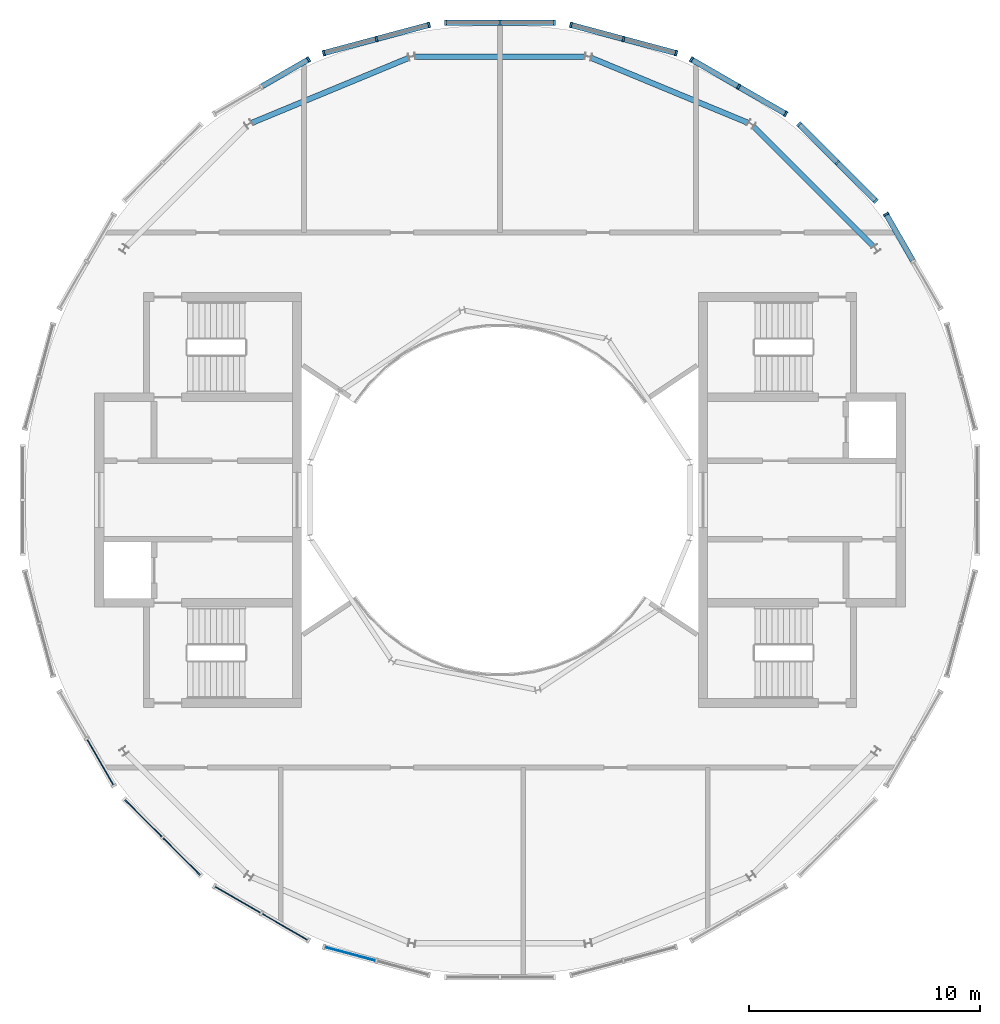
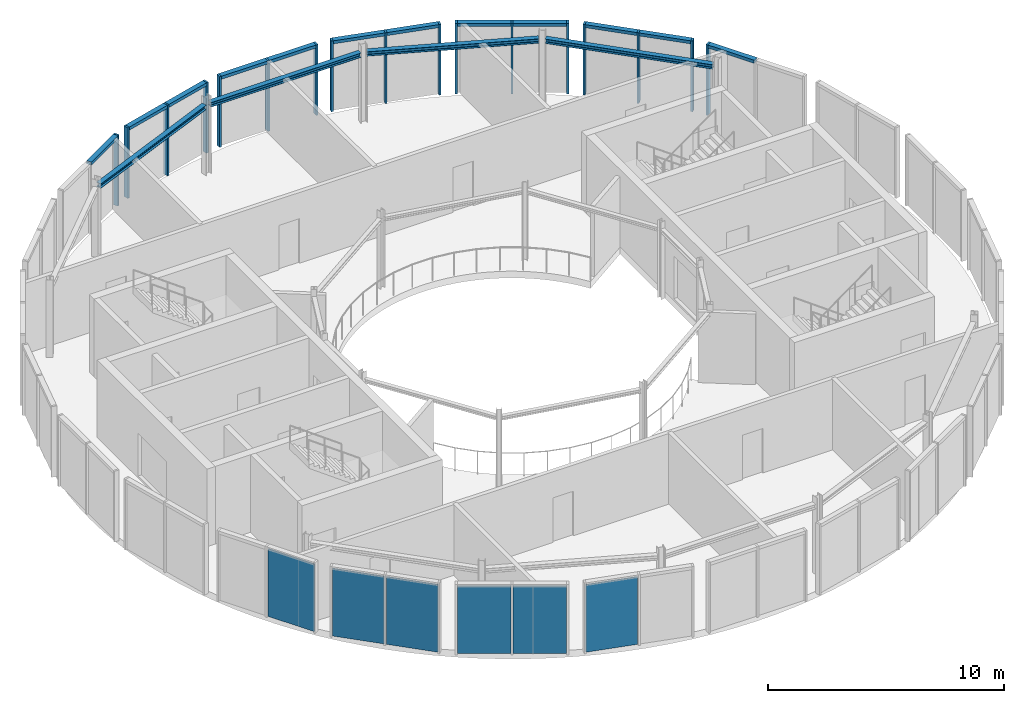
# One storey, part 6 of 12: 29 members, 6 plates, 4 beams, 11 elements without a shape of their own.
"""IFC4 building model written with IfcOpenShell, lengths in metres."""

from ifc_helpers import new_model, si_unit, direction, frame, origin, origin_2d, place, context, subcontext, project, spatial, rectangle, i_section, extrude, material, layer, layer_set, material_profile, profile_set, type_object, element, aggregate, save


model = new_model("IFC4")

# Units and contexts
model_context = context("Model", 3, precision=1e-05, world=origin(), true_north=direction((0.0, 1.0)))
body_context = subcontext(model_context, "Body", "Model", "MODEL_VIEW")
ifc_project = project(units=[si_unit("LENGTHUNIT", "METRE"), si_unit("AREAUNIT", "SQUARE_METRE"), si_unit("VOLUMEUNIT", "CUBIC_METRE"), si_unit("PLANEANGLEUNIT", "RADIAN"), si_unit("MASSUNIT", "GRAM", prefix="KILO")], contexts=[model_context])

# Site, building, storey
site_placement = place(None, origin())
site = spatial("IfcSite", under=ifc_project, at=site_placement, CompositionType="ELEMENT")
building_placement = place(site_placement, origin())
building = spatial("IfcBuilding", under=site, at=building_placement, Name="Maasbend Ring Residences", CompositionType="ELEMENT")
storey_placement = place(building_placement, frame((0.0, 0.0, 261.5)))
storey = spatial("IfcBuildingStorey", under=building, at=storey_placement, Name="L75", CompositionType="ELEMENT", Elevation=261.5)

# Curtain wall, member
ifc_material_1 = material(Name="Aluminium and clear glass", Category="aluminium")
ifc_layer_1 = layer(ifc_material_1, 0.239990234375)
ifc_layer_set_1 = layer_set([ifc_layer_1], Name="CW-CN")
curtain_wall_type = type_object("IfcCurtainWallType", Name="CW-CN", PredefinedType="NOTDEFINED", material=ifc_layer_set_1)
curtain_wall_1_placement = place(storey_placement, origin())
curtain_wall_1 = element("IfcCurtainWall", 1, at=curtain_wall_1_placement, inside=storey, type_object=curtain_wall_type, Name="Crown drum glazing 02 L75", PredefinedType="NOTDEFINED")
ifc_material_2 = material(Name="Aluminium 6063-T6", Category="aluminium")
ifc_material_profile_1 = material_profile(ifc_material_2, rectangle(XDim=0.239990234375, YDim=0.090087890625, at=origin_2d()), Name="AL 240x90")
ifc_profile_set_1 = profile_set([ifc_material_profile_1], Name="Aluminium 6063-T6")
member_type_1 = type_object("IfcMemberType", Name="CWM-CN", PredefinedType="MULLION", material=ifc_profile_set_1)
member_1_placement = place(storey_placement, frame((16.73974609375, 12.388671875, 0.0), z_axis=(0.0, 0.0, 1.0), x_axis=(-0.866025403784, -0.5, 0.0)))
member_1 = element("IfcMember", 2, at=member_1_placement, type_object=member_type_1, Name="Mullion crown cone", PredefinedType="MULLION", context=body_context, shape_type="SweptSolid", body=[
    extrude(rectangle(XDim=0.239990234375, YDim=0.090087890625, at=origin_2d()), origin(), (0.0, 0.0, 1.0), 3.64990234375),
])

# Curtain wall, members
curtain_wall_2_placement = place(storey_placement, origin())
curtain_wall_2 = element("IfcCurtainWall", 3, at=curtain_wall_2_placement, inside=storey, type_object=curtain_wall_type, Name="Crown drum glazing 03 L75", PredefinedType="NOTDEFINED")
member_2_placement = place(storey_placement, frame((16.299072265625, 12.962890625, 0.0), z_axis=(0.0, 0.0, 1.0), x_axis=(-0.707106781187, -0.707106781187, 0.0)))
member_2 = element("IfcMember", 4, at=member_2_placement, type_object=member_type_1, Name="Mullion crown cone", PredefinedType="MULLION", context=body_context, shape_type="SweptSolid", body=[
    extrude(rectangle(XDim=0.239990234375, YDim=0.090087890625, at=origin_2d()), origin(), (0.0, 0.0, 1.0), 3.64990234375),
])
member_3_placement = place(storey_placement, frame((14.631103515625, 14.631103515625, 0.0), z_axis=(0.0, 0.0, 1.0), x_axis=(-0.707106781187, -0.707106781187, 0.0)))
member_3 = element("IfcMember", 5, at=member_3_placement, type_object=member_type_1, Name="Mullion crown cone", PredefinedType="MULLION", context=body_context, shape_type="SweptSolid", body=[
    extrude(rectangle(XDim=0.239990234375, YDim=0.090087890625, at=origin_2d()), origin(), (0.0, 0.0, 1.0), 3.64990234375),
])
member_4_placement = place(storey_placement, frame((12.962890625, 16.299072265625, 0.0), z_axis=(0.0, 0.0, 1.0), x_axis=(-0.707106781187, -0.707106781187, 0.0)))
member_4 = element("IfcMember", 6, at=member_4_placement, type_object=member_type_1, Name="Mullion crown cone", PredefinedType="MULLION", context=body_context, shape_type="SweptSolid", body=[
    extrude(rectangle(XDim=0.239990234375, YDim=0.090087890625, at=origin_2d()), origin(), (0.0, 0.0, 1.0), 3.64990234375),
])

curtain_wall_3_placement = place(storey_placement, origin())
curtain_wall_3 = element("IfcCurtainWall", 7, at=curtain_wall_3_placement, inside=storey, type_object=curtain_wall_type, Name="Crown drum glazing 04 L75", PredefinedType="NOTDEFINED")
member_5_placement = place(storey_placement, frame((12.388671875, 16.73974609375, 0.0), z_axis=(0.0, 0.0, 1.0), x_axis=(-0.5, -0.866025403784, 0.0)))
member_5 = element("IfcMember", 8, at=member_5_placement, type_object=member_type_1, Name="Mullion crown cone", PredefinedType="MULLION", context=body_context, shape_type="SweptSolid", body=[
    extrude(rectangle(XDim=0.239990234375, YDim=0.090087890625, at=origin_2d()), origin(), (0.0, 0.0, 1.0), 3.64990234375),
])
member_6_placement = place(storey_placement, frame((10.345703125, 17.91943359375, 0.0), z_axis=(0.0, 0.0, 1.0), x_axis=(-0.5, -0.866025403784, 0.0)))
member_6 = element("IfcMember", 9, at=member_6_placement, type_object=member_type_1, Name="Mullion crown cone", PredefinedType="MULLION", context=body_context, shape_type="SweptSolid", body=[
    extrude(rectangle(XDim=0.239990234375, YDim=0.090087890625, at=origin_2d()), origin(), (0.0, 0.0, 1.0), 3.64990234375),
])
member_7_placement = place(storey_placement, frame((8.302734375, 19.098876953125, 0.0), z_axis=(0.0, 0.0, 1.0), x_axis=(-0.5, -0.866025403784, 0.0)))
member_7 = element("IfcMember", 10, at=member_7_placement, type_object=member_type_1, Name="Mullion crown cone", PredefinedType="MULLION", context=body_context, shape_type="SweptSolid", body=[
    extrude(rectangle(XDim=0.239990234375, YDim=0.090087890625, at=origin_2d()), origin(), (0.0, 0.0, 1.0), 3.64990234375),
])

curtain_wall_4_placement = place(storey_placement, origin())
curtain_wall_4 = element("IfcCurtainWall", 11, at=curtain_wall_4_placement, inside=storey, type_object=curtain_wall_type, Name="Crown drum glazing 05 L75", PredefinedType="NOTDEFINED")
member_8_placement = place(storey_placement, frame((7.634033203125, 19.375732421875, 0.0), z_axis=(0.0, 0.0, 1.0), x_axis=(-0.258819045103, -0.965925826289, 0.0)))
member_8 = element("IfcMember", 12, at=member_8_placement, type_object=member_type_1, Name="Mullion crown cone", PredefinedType="MULLION", context=body_context, shape_type="SweptSolid", body=[
    extrude(rectangle(XDim=0.239990234375, YDim=0.090087890625, at=origin_2d()), origin(), (0.0, 0.0, 1.0), 3.64990234375),
])
member_9_placement = place(storey_placement, frame((5.355224609375, 19.986328125, 0.0), z_axis=(0.0, 0.0, 1.0), x_axis=(-0.258819045103, -0.965925826289, 0.0)))
member_9 = element("IfcMember", 13, at=member_9_placement, type_object=member_type_1, Name="Mullion crown cone", PredefinedType="MULLION", context=body_context, shape_type="SweptSolid", body=[
    extrude(rectangle(XDim=0.239990234375, YDim=0.090087890625, at=origin_2d()), origin(), (0.0, 0.0, 1.0), 3.64990234375),
])
member_10_placement = place(storey_placement, frame((3.07666015625, 20.596923828125, 0.0), z_axis=(0.0, 0.0, 1.0), x_axis=(-0.258819045103, -0.965925826289, 0.0)))
member_10 = element("IfcMember", 14, at=member_10_placement, type_object=member_type_1, Name="Mullion crown cone", PredefinedType="MULLION", context=body_context, shape_type="SweptSolid", body=[
    extrude(rectangle(XDim=0.239990234375, YDim=0.090087890625, at=origin_2d()), origin(), (0.0, 0.0, 1.0), 3.64990234375),
])

curtain_wall_5_placement = place(storey_placement, origin())
curtain_wall_5 = element("IfcCurtainWall", 15, at=curtain_wall_5_placement, inside=storey, type_object=curtain_wall_type, Name="Crown drum glazing 06 L75", PredefinedType="NOTDEFINED")
member_11_placement = place(storey_placement, frame((2.359130859375, 20.69140625, 0.0), z_axis=(0.0, 0.0, 1.0), x_axis=(0.0, -1.0, 0.0)))
member_11 = element("IfcMember", 16, at=member_11_placement, type_object=member_type_1, Name="Mullion crown cone", PredefinedType="MULLION", context=body_context, shape_type="SweptSolid", body=[
    extrude(rectangle(XDim=0.239990234375, YDim=0.090087890625, at=origin_2d()), origin(), (0.0, 0.0, 1.0), 3.64990234375),
])
member_12_placement = place(storey_placement, frame((0.0, 20.69140625, 0.0), z_axis=(0.0, 0.0, 1.0), x_axis=(0.0, -1.0, 0.0)))
member_12 = element("IfcMember", 17, at=member_12_placement, type_object=member_type_1, Name="Mullion crown cone", PredefinedType="MULLION", context=body_context, shape_type="SweptSolid", body=[
    extrude(rectangle(XDim=0.239990234375, YDim=0.090087890625, at=origin_2d()), origin(), (0.0, 0.0, 1.0), 3.64990234375),
])
member_13_placement = place(storey_placement, frame((-2.359130859375, 20.69140625, 0.0), z_axis=(0.0, 0.0, 1.0), x_axis=(0.0, -1.0, 0.0)))
member_13 = element("IfcMember", 18, at=member_13_placement, type_object=member_type_1, Name="Mullion crown cone", PredefinedType="MULLION", context=body_context, shape_type="SweptSolid", body=[
    extrude(rectangle(XDim=0.239990234375, YDim=0.090087890625, at=origin_2d()), origin(), (0.0, 0.0, 1.0), 3.64990234375),
])

curtain_wall_6_placement = place(storey_placement, origin())
curtain_wall_6 = element("IfcCurtainWall", 19, at=curtain_wall_6_placement, inside=storey, type_object=curtain_wall_type, Name="Crown drum glazing 07 L75", PredefinedType="NOTDEFINED")
member_14_placement = place(storey_placement, frame((-3.07666015625, 20.596923828125, 0.0), z_axis=(0.0, 0.0, 1.0), x_axis=(0.258819045103, -0.965925826289, 0.0)))
member_14 = element("IfcMember", 20, at=member_14_placement, type_object=member_type_1, Name="Mullion crown cone", PredefinedType="MULLION", context=body_context, shape_type="SweptSolid", body=[
    extrude(rectangle(XDim=0.239990234375, YDim=0.090087890625, at=origin_2d()), origin(), (0.0, 0.0, 1.0), 3.64990234375),
])
member_15_placement = place(storey_placement, frame((-5.355224609375, 19.986328125, 0.0), z_axis=(0.0, 0.0, 1.0), x_axis=(0.258819045103, -0.965925826289, 0.0)))
member_15 = element("IfcMember", 21, at=member_15_placement, type_object=member_type_1, Name="Mullion crown cone", PredefinedType="MULLION", context=body_context, shape_type="SweptSolid", body=[
    extrude(rectangle(XDim=0.239990234375, YDim=0.090087890625, at=origin_2d()), origin(), (0.0, 0.0, 1.0), 3.64990234375),
])
member_16_placement = place(storey_placement, frame((-7.634033203125, 19.375732421875, 0.0), z_axis=(0.0, 0.0, 1.0), x_axis=(0.258819045103, -0.965925826289, 0.0)))
member_16 = element("IfcMember", 22, at=member_16_placement, type_object=member_type_1, Name="Mullion crown cone", PredefinedType="MULLION", context=body_context, shape_type="SweptSolid", body=[
    extrude(rectangle(XDim=0.239990234375, YDim=0.090087890625, at=origin_2d()), origin(), (0.0, 0.0, 1.0), 3.64990234375),
])

# Curtain wall, member
curtain_wall_7_placement = place(storey_placement, origin())
curtain_wall_7 = element("IfcCurtainWall", 23, at=curtain_wall_7_placement, inside=storey, type_object=curtain_wall_type, Name="Crown drum glazing 08 L75", PredefinedType="NOTDEFINED")
member_17_placement = place(storey_placement, frame((-8.302734375, 19.098876953125, 0.0), z_axis=(0.0, 0.0, 1.0), x_axis=(0.5, -0.866025403784, 0.0)))
member_17 = element("IfcMember", 24, at=member_17_placement, type_object=member_type_1, Name="Mullion crown cone", PredefinedType="MULLION", context=body_context, shape_type="SweptSolid", body=[
    extrude(rectangle(XDim=0.239990234375, YDim=0.090087890625, at=origin_2d()), origin(), (0.0, 0.0, 1.0), 3.64990234375),
])

# Member
ifc_material_3 = material(Name="Aluminium 6063-T6", Category="aluminium")
ifc_material_profile_2 = material_profile(ifc_material_3, rectangle(XDim=0.239990234375, YDim=0.159912109375, at=origin_2d()), Name="AL 240x160")
ifc_profile_set_2 = profile_set([ifc_material_profile_2], Name="Aluminium 6063-T6")
member_type_2 = type_object("IfcMemberType", Name="CWT-CN", PredefinedType="USERDEFINED", material=ifc_profile_set_2)
member_18_placement = place(storey_placement, frame((17.896728515625, 10.384765625, 3.570068359375), z_axis=(-0.49999255039, 0.866029704776, 0.0), x_axis=(-0.866029704776, -0.49999255039, 0.0)))
member_18 = element("IfcMember", 25, at=member_18_placement, type_object=member_type_2, Name="Transom crown cone", ObjectType="TRANSOM", PredefinedType="USERDEFINED", context=body_context, shape_type="SweptSolid", body=[
    extrude(rectangle(XDim=0.239990234375, YDim=0.159912109375, at=origin_2d()), origin(), (0.0, 0.0, 1.0), 2.26904296875),
])

aggregate(curtain_wall_1, [member_1, member_18])

member_19_placement = place(storey_placement, frame((16.267333984375, 12.994873046875, 3.570068359375), z_axis=(-0.707106781187, 0.707106781187, 0.0), x_axis=(-0.707106781187, -0.707106781187, 0.0)))
member_19 = element("IfcMember", 26, at=member_19_placement, type_object=member_type_2, Name="Transom crown cone", ObjectType="TRANSOM", PredefinedType="USERDEFINED", context=body_context, shape_type="SweptSolid", body=[
    extrude(rectangle(XDim=0.239990234375, YDim=0.159912109375, at=origin_2d()), origin(), (0.0, 0.0, 1.0), 2.26904296875),
])

member_20_placement = place(storey_placement, frame((14.599365234375, 14.662841796875, 3.570068359375), z_axis=(-0.707106781187, 0.707106781187, 0.0), x_axis=(-0.707106781187, -0.707106781187, 0.0)))
member_20 = element("IfcMember", 27, at=member_20_placement, type_object=member_type_2, Name="Transom crown cone", ObjectType="TRANSOM", PredefinedType="USERDEFINED", context=body_context, shape_type="SweptSolid", body=[
    extrude(rectangle(XDim=0.239990234375, YDim=0.159912109375, at=origin_2d()), origin(), (0.0, 0.0, 1.0), 2.26904296875),
])

aggregate(curtain_wall_2, [member_2, member_3, member_4, member_19, member_20])

member_21_placement = place(storey_placement, frame((12.349853515625, 16.76220703125, 3.570068359375), z_axis=(-0.866029704776, 0.49999255039, 0.0), x_axis=(-0.49999255039, -0.866029704776, 0.0)))
member_21 = element("IfcMember", 28, at=member_21_placement, type_object=member_type_2, Name="Transom crown cone", ObjectType="TRANSOM", PredefinedType="USERDEFINED", context=body_context, shape_type="SweptSolid", body=[
    extrude(rectangle(XDim=0.239990234375, YDim=0.159912109375, at=origin_2d()), origin(), (0.0, 0.0, 1.0), 2.26904296875),
])

member_22_placement = place(storey_placement, frame((10.306640625, 17.94189453125, 3.570068359375), z_axis=(-0.866029704776, 0.49999255039, 0.0), x_axis=(-0.49999255039, -0.866029704776, 0.0)))
member_22 = element("IfcMember", 29, at=member_22_placement, type_object=member_type_2, Name="Transom crown cone", ObjectType="TRANSOM", PredefinedType="USERDEFINED", context=body_context, shape_type="SweptSolid", body=[
    extrude(rectangle(XDim=0.239990234375, YDim=0.159912109375, at=origin_2d()), origin(), (0.0, 0.0, 1.0), 2.26904296875),
])

aggregate(curtain_wall_3, [member_5, member_6, member_7, member_21, member_22])

member_23_placement = place(storey_placement, frame((7.590576171875, 19.387451171875, 3.570068359375), z_axis=(-0.965909143883, 0.258881296667, 0.0), x_axis=(-0.258881296667, -0.965909143883, 0.0)))
member_23 = element("IfcMember", 30, at=member_23_placement, type_object=member_type_2, Name="Transom crown cone", ObjectType="TRANSOM", PredefinedType="USERDEFINED", context=body_context, shape_type="SweptSolid", body=[
    extrude(rectangle(XDim=0.239990234375, YDim=0.159912109375, at=origin_2d()), origin(), (0.0, 0.0, 1.0), 2.26904296875),
])

member_24_placement = place(storey_placement, frame((5.311767578125, 19.998046875, 3.570068359375), z_axis=(-0.965909143883, 0.258881296667, 0.0), x_axis=(-0.258881296667, -0.965909143883, 0.0)))
member_24 = element("IfcMember", 31, at=member_24_placement, type_object=member_type_2, Name="Transom crown cone", ObjectType="TRANSOM", PredefinedType="USERDEFINED", context=body_context, shape_type="SweptSolid", body=[
    extrude(rectangle(XDim=0.239990234375, YDim=0.159912109375, at=origin_2d()), origin(), (0.0, 0.0, 1.0), 2.26904296875),
])

aggregate(curtain_wall_4, [member_8, member_9, member_10, member_23, member_24])

member_25_placement = place(storey_placement, frame((2.31396484375, 20.69140625, 3.570068359375), z_axis=(-1.0, 0.0, 0.0), x_axis=(0.0, -1.0, 0.0)))
member_25 = element("IfcMember", 32, at=member_25_placement, type_object=member_type_2, Name="Transom crown cone", ObjectType="TRANSOM", PredefinedType="USERDEFINED", context=body_context, shape_type="SweptSolid", body=[
    extrude(rectangle(XDim=0.239990234375, YDim=0.159912109375, at=origin_2d()), origin(), (0.0, 0.0, 1.0), 2.26904296875),
])

member_26_placement = place(storey_placement, frame((-0.044921875, 20.69140625, 3.570068359375), z_axis=(-1.0, 0.0, 0.0), x_axis=(0.0, -1.0, 0.0)))
member_26 = element("IfcMember", 33, at=member_26_placement, type_object=member_type_2, Name="Transom crown cone", ObjectType="TRANSOM", PredefinedType="USERDEFINED", context=body_context, shape_type="SweptSolid", body=[
    extrude(rectangle(XDim=0.239990234375, YDim=0.159912109375, at=origin_2d()), origin(), (0.0, 0.0, 1.0), 2.26904296875),
])

aggregate(curtain_wall_5, [member_11, member_12, member_13, member_25, member_26])

member_27_placement = place(storey_placement, frame((-3.1201171875, 20.58544921875, 3.570068359375), z_axis=(-0.965909143883, -0.258881296667, 0.0), x_axis=(0.258881296667, -0.965909143883, 0.0)))
member_27 = element("IfcMember", 34, at=member_27_placement, type_object=member_type_2, Name="Transom crown cone", ObjectType="TRANSOM", PredefinedType="USERDEFINED", context=body_context, shape_type="SweptSolid", body=[
    extrude(rectangle(XDim=0.239990234375, YDim=0.159912109375, at=origin_2d()), origin(), (0.0, 0.0, 1.0), 2.26904296875),
])

member_28_placement = place(storey_placement, frame((-5.39892578125, 19.974853515625, 3.570068359375), z_axis=(-0.965909143883, -0.258881296667, 0.0), x_axis=(0.258881296667, -0.965909143883, 0.0)))
member_28 = element("IfcMember", 35, at=member_28_placement, type_object=member_type_2, Name="Transom crown cone", ObjectType="TRANSOM", PredefinedType="USERDEFINED", context=body_context, shape_type="SweptSolid", body=[
    extrude(rectangle(XDim=0.239990234375, YDim=0.159912109375, at=origin_2d()), origin(), (0.0, 0.0, 1.0), 2.26904296875),
])

aggregate(curtain_wall_6, [member_14, member_15, member_16, member_27, member_28])

member_29_placement = place(storey_placement, frame((-8.341552734375, 19.076416015625, 3.570068359375), z_axis=(-0.866029704776, -0.49999255039, 0.0), x_axis=(0.49999255039, -0.866029704776, 0.0)))
member_29 = element("IfcMember", 36, at=member_29_placement, type_object=member_type_2, Name="Transom crown cone", ObjectType="TRANSOM", PredefinedType="USERDEFINED", context=body_context, shape_type="SweptSolid", body=[
    extrude(rectangle(XDim=0.239990234375, YDim=0.159912109375, at=origin_2d()), origin(), (0.0, 0.0, 1.0), 2.26904296875),
])

aggregate(curtain_wall_7, [member_17, member_29])

# Beams
ifc_material_4 = material(Name="Steel S355J2", Category="steel")
ifc_material_profile_3 = material_profile(ifc_material_4, i_section(OverallWidth=0.239990234375, OverallDepth=0.22998046875, WebThickness=0.007568359375, FlangeThickness=0.011962890625, FilletRadius=0.02099609375, at=origin_2d()), Name="HEA 240")
ifc_profile_set_3 = profile_set([ifc_material_profile_3], Name="Steel S355J2")
beam_type = type_object("IfcBeamType", Name="Corridor ring beam HEA 240", PredefinedType="BEAM", material=ifc_profile_set_3)
beam_1_placement = place(storey_placement, frame((16.188720703125, 10.997314453125, 3.534912109375), z_axis=(-0.707106781187, 0.707106781187, 0.0), x_axis=(-0.707106781187, -0.707106781187, 0.0)))
element("IfcBeam", 37, at=beam_1_placement, inside=storey, type_object=beam_type, Name="Corridor ring beam", PredefinedType="BEAM", context=body_context, shape_type="SweptSolid", body=[
    extrude(i_section(OverallWidth=0.239990234375, OverallDepth=0.22998046875, WebThickness=0.007568359375, FlangeThickness=0.011962890625, FilletRadius=0.02099609375, at=origin_2d()), origin(), (0.0, 0.0, 1.0), 7.341796875),
])
beam_2_placement = place(storey_placement, frame((10.747802734375, 16.355224609375, 3.534912109375), z_axis=(-0.923875784142, 0.382692481603, 0.0), x_axis=(-0.382692481603, -0.923875784142, 0.0)))
element("IfcBeam", 38, at=beam_2_placement, inside=storey, type_object=beam_type, Name="Corridor ring beam", PredefinedType="BEAM", context=body_context, shape_type="SweptSolid", body=[
    extrude(i_section(OverallWidth=0.239990234375, OverallDepth=0.22998046875, WebThickness=0.007568359375, FlangeThickness=0.011962890625, FilletRadius=0.02099609375, at=origin_2d()), origin(), (0.0, 0.0, 1.0), 7.341552734375),
])
beam_3_placement = place(storey_placement, frame((3.6708984375, 19.223388671875, 3.534912109375), z_axis=(-1.0, 0.0, 0.0), x_axis=(0.0, -1.0, 0.0)))
element("IfcBeam", 39, at=beam_3_placement, inside=storey, type_object=beam_type, Name="Corridor ring beam", PredefinedType="BEAM", context=body_context, shape_type="SweptSolid", body=[
    extrude(i_section(OverallWidth=0.239990234375, OverallDepth=0.22998046875, WebThickness=0.007568359375, FlangeThickness=0.011962890625, FilletRadius=0.02099609375, at=origin_2d()), origin(), (0.0, 0.0, 1.0), 7.341796875),
])
beam_4_placement = place(storey_placement, frame((-3.965087890625, 19.164794921875, 3.534912109375), z_axis=(-0.923875784142, -0.382692481603, 0.0), x_axis=(0.382692481603, -0.923875784142, 0.0)))
element("IfcBeam", 40, at=beam_4_placement, inside=storey, type_object=beam_type, Name="Corridor ring beam", PredefinedType="BEAM", context=body_context, shape_type="SweptSolid", body=[
    extrude(i_section(OverallWidth=0.239990234375, OverallDepth=0.22998046875, WebThickness=0.007568359375, FlangeThickness=0.011962890625, FilletRadius=0.02099609375, at=origin_2d()), origin(), (0.0, 0.0, 1.0), 7.341552734375),
])

# Curtain wall, plate
curtain_wall_8_placement = place(storey_placement, origin())
curtain_wall_8 = element("IfcCurtainWall", 41, at=curtain_wall_8_placement, inside=storey, type_object=curtain_wall_type, Name="Crown drum glazing 14 L75", PredefinedType="NOTDEFINED")
ifc_material_5 = material(Name="Glass clear laminated", Category="glass")
ifc_layer_2 = layer(ifc_material_5, 0.0400390625)
ifc_layer_set_2 = layer_set([ifc_layer_2], Name="CWP-CN")
plate_type = type_object("IfcPlateType", Name="CWP-CN", PredefinedType="CURTAIN_PANEL", material=ifc_layer_set_2)
plate_1_placement = place(storey_placement, frame((-17.32958984375, -11.3671875, 0.0), z_axis=(0.0, 0.0, 1.0), x_axis=(0.5, -0.866025403784, 0.0)))
plate_1 = element("IfcPlate", 42, at=plate_1_placement, type_object=plate_type, Name="Glass panel crown cone", PredefinedType="CURTAIN_PANEL", context=body_context, shape_type="SweptSolid", body=[
    extrude(rectangle(XDim=2.26904296875, YDim=0.0400390625, at=origin_2d()), origin(), (0.0, 0.0, 1.0), 3.489990234375),
])
aggregate(curtain_wall_8, [plate_1])

# Curtain wall, plates
curtain_wall_9_placement = place(storey_placement, origin())
curtain_wall_9 = element("IfcCurtainWall", 43, at=curtain_wall_9_placement, inside=storey, type_object=curtain_wall_type, Name="Crown drum glazing 15 L75", PredefinedType="NOTDEFINED")
plate_2_placement = place(storey_placement, frame((-15.465087890625, -13.797119140625, 0.0), z_axis=(0.0, 0.0, 1.0), x_axis=(0.707106781187, -0.707106781187, 0.0)))
plate_2 = element("IfcPlate", 44, at=plate_2_placement, type_object=plate_type, Name="Glass panel crown cone", PredefinedType="CURTAIN_PANEL", context=body_context, shape_type="SweptSolid", body=[
    extrude(rectangle(XDim=2.26904296875, YDim=0.0400390625, at=origin_2d()), origin(), (0.0, 0.0, 1.0), 3.489990234375),
])
plate_3_placement = place(storey_placement, frame((-13.797119140625, -15.465087890625, 0.0), z_axis=(0.0, 0.0, 1.0), x_axis=(0.707106781187, -0.707106781187, 0.0)))
plate_3 = element("IfcPlate", 45, at=plate_3_placement, type_object=plate_type, Name="Glass panel crown cone", PredefinedType="CURTAIN_PANEL", context=body_context, shape_type="SweptSolid", body=[
    extrude(rectangle(XDim=2.26904296875, YDim=0.0400390625, at=origin_2d()), origin(), (0.0, 0.0, 1.0), 3.489990234375),
])
aggregate(curtain_wall_9, [plate_2, plate_3])

curtain_wall_10_placement = place(storey_placement, origin())
curtain_wall_10 = element("IfcCurtainWall", 46, at=curtain_wall_10_placement, inside=storey, type_object=curtain_wall_type, Name="Crown drum glazing 16 L75", PredefinedType="NOTDEFINED")
plate_4_placement = place(storey_placement, frame((-11.3671875, -17.32958984375, 0.0), z_axis=(0.0, 0.0, 1.0), x_axis=(0.866025403784, -0.5, 0.0)))
plate_4 = element("IfcPlate", 47, at=plate_4_placement, type_object=plate_type, Name="Glass panel crown cone", PredefinedType="CURTAIN_PANEL", context=body_context, shape_type="SweptSolid", body=[
    extrude(rectangle(XDim=2.26904296875, YDim=0.0400390625, at=origin_2d()), origin(), (0.0, 0.0, 1.0), 3.489990234375),
])
plate_5_placement = place(storey_placement, frame((-9.32421875, -18.509033203125, 0.0), z_axis=(0.0, 0.0, 1.0), x_axis=(0.866025403784, -0.5, 0.0)))
plate_5 = element("IfcPlate", 48, at=plate_5_placement, type_object=plate_type, Name="Glass panel crown cone", PredefinedType="CURTAIN_PANEL", context=body_context, shape_type="SweptSolid", body=[
    extrude(rectangle(XDim=2.26904296875, YDim=0.0400390625, at=origin_2d()), origin(), (0.0, 0.0, 1.0), 3.489990234375),
])
aggregate(curtain_wall_10, [plate_4, plate_5])

# Curtain wall, plate
curtain_wall_11_placement = place(storey_placement, origin())
curtain_wall_11 = element("IfcCurtainWall", 49, at=curtain_wall_11_placement, inside=storey, type_object=curtain_wall_type, Name="Crown drum glazing 17 L75", PredefinedType="NOTDEFINED")
plate_6_placement = place(storey_placement, frame((-6.49462890625, -19.68115234375, 0.0), z_axis=(0.0, 0.0, 1.0), x_axis=(0.965925826289, -0.258819045103, 0.0)))
plate_6 = element("IfcPlate", 50, at=plate_6_placement, type_object=plate_type, Name="Glass panel crown cone", PredefinedType="CURTAIN_PANEL", context=body_context, shape_type="SweptSolid", body=[
    extrude(rectangle(XDim=2.26904296875, YDim=0.0400390625, at=origin_2d()), origin(), (0.0, 0.0, 1.0), 3.489990234375),
])
aggregate(curtain_wall_11, [plate_6])

save(model, "model.ifc")
